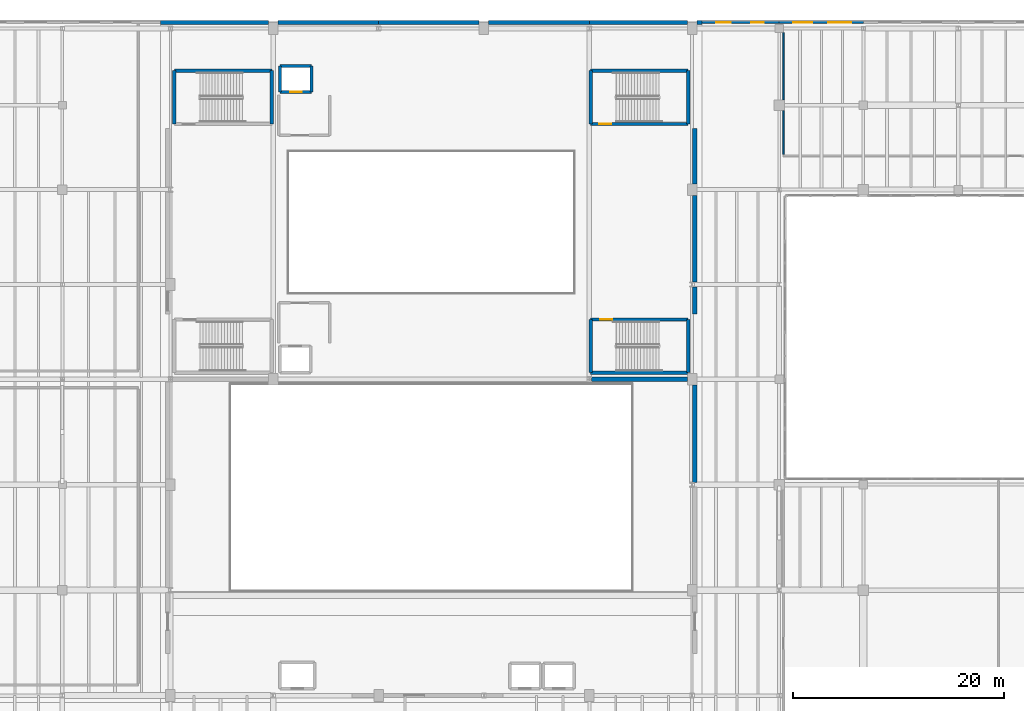
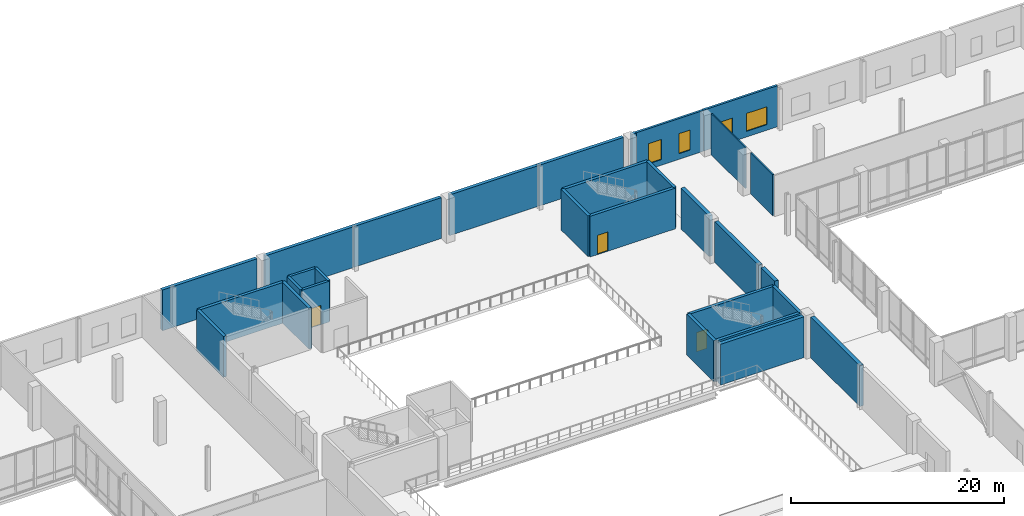
# One storey, part 58 of 73: 30 walls, 4 windows, 3 doors, 7 openings.
"""IFC4 building model written with IfcOpenShell, lengths in metres."""

from ifc_helpers import new_model, si_unit, direction, frame, frame_2d, origin, place, context, subcontext, project, spatial, rectangle, extrude, material, layer, layer_set, type_object, element, fill, save


model = new_model("IFC4")

# Units and contexts
model_context = context("Model", 3, precision=1e-05, world=origin(), true_north=direction((0.0, 1.0)))
body_context = subcontext(model_context, "Body", "Model", "MODEL_VIEW")
ifc_project = project(units=[si_unit("LENGTHUNIT", "METRE"), si_unit("AREAUNIT", "SQUARE_METRE"), si_unit("VOLUMEUNIT", "CUBIC_METRE"), si_unit("PLANEANGLEUNIT", "RADIAN"), si_unit("MASSUNIT", "GRAM", prefix="KILO")], contexts=[model_context])

# Site, building, storey
site_placement = place(None, origin())
site = spatial("IfcSite", under=ifc_project, at=site_placement, CompositionType="ELEMENT")
building_placement = place(site_placement, origin())
building = spatial("IfcBuilding", under=site, at=building_placement, Name="Trimount Lyric Opera House", CompositionType="ELEMENT")
storey_placement = place(building_placement, frame((0.0, 0.0, 10.0)))
storey = spatial("IfcBuildingStorey", under=building, at=storey_placement, Name="L02", CompositionType="ELEMENT", Elevation=10.0)

# Walls
ifc_material_1 = material(Name="Fire-Rated Gypsum Board Partition")
ifc_layer_1 = layer(ifc_material_1, 0.14990234375)
ifc_layer_set_1 = layer_set([ifc_layer_1], Name="WL-PT150")
wall_type_1 = type_object("IfcWallType", Name="WL-PT150", PredefinedType="PARTITIONING", material=ifc_layer_set_1)
wall_1_placement = place(storey_placement, frame((122.39990234375, 116.8798828125, 0.0), z_axis=(0.0, 0.0, 1.0), x_axis=(0.0, -1.0, 0.0)))
element("IfcWall", 1, at=wall_1_placement, inside=storey, type_object=wall_type_1, Name="L02 Wig, Make-Up & Millinery Studio W partition", PredefinedType="PARTITIONING", context=body_context, shape_type="SweptSolid", body=[
    extrude(rectangle(XDim=6.3798828125, YDim=0.14990234375, at=frame_2d((3.18994140625, 0.0))), origin(), (0.0, 0.0, 1.0), 4.7099609375),
])
wall_2_placement = place(storey_placement, frame((122.39990234375, 109.5, 0.0), z_axis=(0.0, 0.0, 1.0), x_axis=(0.0, -1.0, 0.0)))
element("IfcWall", 2, at=wall_2_placement, inside=storey, type_object=wall_type_1, Name="L02 Wig, Make-Up & Millinery Studio W partition", PredefinedType="PARTITIONING", context=body_context, shape_type="SweptSolid", body=[
    extrude(rectangle(XDim=4.14990234375, YDim=0.14990234375, at=frame_2d((2.074951171875, 0.0))), origin(), (0.0, 0.0, 1.0), 4.7099609375),
])

# Wall, opening, door
ifc_material_2 = material(Name="Concrete C40/50", Category="concrete")
ifc_layer_2 = layer(ifc_material_2, 0.280029296875)
ifc_layer_set_2 = layer_set([ifc_layer_2], Name="WL-SH280")
wall_type_2 = type_object("IfcWallType", Name="WL-SH280", PredefinedType="SHEAR", material=ifc_layer_set_2)
wall_3_placement = place(storey_placement, frame((74.659912109375, 111.260009765625, 0.0), z_axis=(0.0, 0.0, 1.0), x_axis=(1.0, 0.0, 0.0)))
wall_3 = element("IfcWall", 3, at=wall_3_placement, inside=storey, type_object=wall_type_2, Name="Lift LF-05 L02 south shaft wall", PredefinedType="SHEAR", context=body_context, shape_type="SweptSolid", body=[
    extrude(rectangle(XDim=2.97998046875, YDim=0.280029296875, at=frame_2d((1.489990234375, 0.0))), origin(), (0.0, 0.0, 1.0), 4.675048828125),
])
opening_1_placement = place(wall_3_placement, frame((0.93994140625, 0.0, 0.0)))
opening_1 = element("IfcOpeningElement", 4, at=opening_1_placement, cuts=wall_3, Name="Opening DT-LD1", PredefinedType="OPENING", context=body_context, shape_type="SweptSolid", body=[
    extrude(rectangle(XDim=1.10009765625, YDim=2.199951171875, at=frame_2d((0.550048828125, 1.10009765625))), frame((0.0, 0.14990234375, 0.0), z_axis=(0.0, -1.0, 0.0), x_axis=(1.0, 0.0, 0.0)), (0.0, 0.0, 1.0), 0.300048828125),
])
ifc_material_3 = material(Name="Brushed Stainless Steel", Category="steel")
door_type_1 = type_object("IfcDoorType", Name="DT-LD1", OperationType="SLIDING_TO_LEFT", PredefinedType="DOOR", material=ifc_material_3)
door_1_placement = place(opening_1_placement, origin())
door_1 = element("IfcDoor", 5, at=door_1_placement, inside=storey, type_object=door_type_1, Name="D-097", OperationType="SLIDING_TO_LEFT", OverallHeight=2.199951171875, OverallWidth=1.10009765625, PredefinedType="DOOR", context=body_context, shape_type="SweptSolid", body=[
    extrude(rectangle(XDim=1.10009765625, YDim=2.199951171875, at=frame_2d((0.550048828125, 1.10009765625))), frame((0.0, 0.02490234375, 0.0), z_axis=(0.0, -1.0, 0.0), x_axis=(1.0, 0.0, 0.0)), (0.0, 0.0, 1.0), 0.050048828125),
])
fill(opening_1, door_1)

# Walls
wall_4_placement = place(storey_placement, frame((77.639892578125, 113.739990234375, 0.0), z_axis=(0.0, 0.0, 1.0), x_axis=(-1.0, 0.0, 0.0)))
element("IfcWall", 6, at=wall_4_placement, inside=storey, type_object=wall_type_2, Name="Lift LF-05 L02 north shaft wall", PredefinedType="SHEAR", context=body_context, shape_type="SweptSolid", body=[
    extrude(rectangle(XDim=2.97998046875, YDim=0.280029296875, at=frame_2d((1.489990234375, 0.0))), origin(), (0.0, 0.0, 1.0), 4.675048828125),
])
for number, where, z_axis, x_axis, name in (
    (7, (74.659912109375, 113.739990234375, 0.0), (0.0, 0.0, 1.0), (0.0, -1.0, 0.0), "Lift LF-05 L02 west shaft wall"),
    (8, (77.639892578125, 111.260009765625, 0.0), (0.0, 0.0, 1.0), (0.0, 1.0, 0.0), "Lift LF-05 L02 east shaft wall"),
):
    element("IfcWall", number, at=place(storey_placement, frame(where, z_axis=z_axis, x_axis=x_axis)), inside=storey, type_object=wall_type_2, Name=name, PredefinedType="SHEAR", context=body_context, shape_type="SweptSolid", body=[
        extrude(rectangle(XDim=2.47998046875, YDim=0.280029296875, at=frame_2d((1.239990234375, 0.0))), origin(), (0.0, 0.0, 1.0), 4.675048828125),
    ])
ifc_material_4 = material(Name="Concrete C40/50", Category="concrete")
ifc_layer_3 = layer(ifc_material_4, 0.320068359375)
ifc_layer_set_3 = layer_set([ifc_layer_3], Name="WL-SH320")
wall_type_3 = type_object("IfcWallType", Name="WL-SH320", PredefinedType="SHEAR", material=ifc_layer_set_3)
wall_5_placement = place(storey_placement, frame((73.875, 113.27490234375, 0.0), z_axis=(0.0, 0.0, 1.0), x_axis=(-1.0, 0.0, 0.0)))
element("IfcWall", 9, at=wall_5_placement, inside=storey, type_object=wall_type_3, Name="K1 L02 north shaft wall", PredefinedType="SHEAR", context=body_context, shape_type="SweptSolid", body=[
    extrude(rectangle(XDim=9.25, YDim=0.320068359375, at=frame_2d((4.625, 0.0))), origin(), (0.0, 0.0, 1.0), 4.675048828125),
])
for number, where, z_axis, x_axis, name in (
    (10, (64.625, 113.27490234375, 0.0), (0.0, 0.0, 1.0), (0.0, -1.0, 0.0), "K1 L02 west shaft wall"),
    (11, (73.875, 108.22509765625, 0.0), (0.0, 0.0, 1.0), (0.0, 1.0, 0.0), "K1 L02 east shaft wall"),
):
    element("IfcWall", number, at=place(storey_placement, frame(where, z_axis=z_axis, x_axis=x_axis)), inside=storey, type_object=wall_type_3, Name=name, PredefinedType="SHEAR", context=body_context, shape_type="SweptSolid", body=[
        extrude(rectangle(XDim=5.0498046875, YDim=0.320068359375, at=frame_2d((2.52490234375, 0.0))), origin(), (0.0, 0.0, 1.0), 4.675048828125),
    ])

# Wall, opening, door
wall_6_placement = place(storey_placement, frame((104.125, 108.22509765625, 0.0), z_axis=(0.0, 0.0, 1.0), x_axis=(1.0, 0.0, 0.0)))
wall_6 = element("IfcWall", 12, at=wall_6_placement, inside=storey, type_object=wall_type_3, Name="K2 L02 south shaft wall", PredefinedType="SHEAR", context=body_context, shape_type="SweptSolid", body=[
    extrude(rectangle(XDim=9.25, YDim=0.320068359375, at=frame_2d((4.625, 0.0))), origin(), (0.0, 0.0, 1.0), 4.675048828125),
])
opening_2_placement = place(wall_6_placement, frame((0.800048828125, 0.0, 0.0)))
opening_2 = element("IfcOpeningElement", 13, at=opening_2_placement, cuts=wall_6, Name="Opening DT-ST1", PredefinedType="OPENING", context=body_context, shape_type="SweptSolid", body=[
    extrude(rectangle(XDim=1.14990234375, YDim=2.199951171875, at=frame_2d((0.574951171875, 1.10009765625))), frame((0.0, 0.169921875, 0.0), z_axis=(0.0, -1.0, 0.0), x_axis=(1.0, 0.0, 0.0)), (0.0, 0.0, 1.0), 0.340087890625),
])
ifc_material_5 = material(Name="Fire-Rated Hollow Steel", Category="steel")
door_type_2 = type_object("IfcDoorType", Name="DT-ST1", OperationType="NOTDEFINED", PredefinedType="DOOR", material=ifc_material_5)
door_2_placement = place(opening_2_placement, origin())
door_2 = element("IfcDoor", 14, at=door_2_placement, inside=storey, type_object=door_type_2, Name="D-018", OperationType="SINGLE_SWING_RIGHT", OverallHeight=2.199951171875, OverallWidth=1.14990234375, PredefinedType="DOOR", context=body_context, shape_type="SweptSolid", body=[
    extrude(rectangle(XDim=1.14990234375, YDim=2.199951171875, at=frame_2d((0.574951171875, 1.10009765625))), frame((0.0, 0.02490234375, 0.0), z_axis=(0.0, -1.0, 0.0), x_axis=(1.0, 0.0, 0.0)), (0.0, 0.0, 1.0), 0.050048828125),
])
fill(opening_2, door_2)

# Walls
wall_7_placement = place(storey_placement, frame((113.375, 113.27490234375, 0.0), z_axis=(0.0, 0.0, 1.0), x_axis=(-1.0, 0.0, 0.0)))
element("IfcWall", 15, at=wall_7_placement, inside=storey, type_object=wall_type_3, Name="K2 L02 north shaft wall", PredefinedType="SHEAR", context=body_context, shape_type="SweptSolid", body=[
    extrude(rectangle(XDim=9.25, YDim=0.320068359375, at=frame_2d((4.625, 0.0))), origin(), (0.0, 0.0, 1.0), 4.675048828125),
])
for number, where, z_axis, x_axis, name in (
    (16, (104.125, 113.27490234375, 0.0), (0.0, 0.0, 1.0), (0.0, -1.0, 0.0), "K2 L02 west shaft wall"),
    (17, (113.375, 108.22509765625, 0.0), (0.0, 0.0, 1.0), (0.0, 1.0, 0.0), "K2 L02 east shaft wall"),
):
    element("IfcWall", number, at=place(storey_placement, frame(where, z_axis=z_axis, x_axis=x_axis)), inside=storey, type_object=wall_type_3, Name=name, PredefinedType="SHEAR", context=body_context, shape_type="SweptSolid", body=[
        extrude(rectangle(XDim=5.0498046875, YDim=0.320068359375, at=frame_2d((2.52490234375, 0.0))), origin(), (0.0, 0.0, 1.0), 4.675048828125),
    ])
wall_8_placement = place(storey_placement, frame((104.125, 84.625, 0.0), z_axis=(0.0, 0.0, 1.0), x_axis=(1.0, 0.0, 0.0)))
element("IfcWall", 18, at=wall_8_placement, inside=storey, type_object=wall_type_3, Name="K4 L02 south shaft wall", PredefinedType="SHEAR", context=body_context, shape_type="SweptSolid", body=[
    extrude(rectangle(XDim=9.25, YDim=0.320068359375, at=frame_2d((4.625, 0.0))), origin(), (0.0, 0.0, 1.0), 4.675048828125),
])

# Wall, opening, door
wall_9_placement = place(storey_placement, frame((113.375, 89.675048828125, 0.0), z_axis=(0.0, 0.0, 1.0), x_axis=(-1.0, 0.0, 0.0)))
wall_9 = element("IfcWall", 19, at=wall_9_placement, inside=storey, type_object=wall_type_3, Name="K4 L02 north shaft wall", PredefinedType="SHEAR", context=body_context, shape_type="SweptSolid", body=[
    extrude(rectangle(XDim=9.25, YDim=0.320068359375, at=frame_2d((4.625, 0.0))), origin(), (0.0, 0.0, 1.0), 4.675048828125),
])
opening_3_placement = place(wall_9_placement, frame((7.199951171875, 0.0, 0.0)))
opening_3 = element("IfcOpeningElement", 20, at=opening_3_placement, cuts=wall_9, Name="Opening DT-ST1", PredefinedType="OPENING", context=body_context, shape_type="SweptSolid", body=[
    extrude(rectangle(XDim=1.14990234375, YDim=2.199951171875, at=frame_2d((0.574951171875, 1.10009765625))), frame((0.0, 0.169921875, 0.0), z_axis=(0.0, -1.0, 0.0), x_axis=(1.0, 0.0, 0.0)), (0.0, 0.0, 1.0), 0.340087890625),
])
door_3_placement = place(opening_3_placement, origin())
door_3 = element("IfcDoor", 21, at=door_3_placement, inside=storey, type_object=door_type_2, Name="D-034", OperationType="SINGLE_SWING_RIGHT", OverallHeight=2.199951171875, OverallWidth=1.14990234375, PredefinedType="DOOR", context=body_context, shape_type="SweptSolid", body=[
    extrude(rectangle(XDim=1.14990234375, YDim=2.199951171875, at=frame_2d((0.574951171875, 1.10009765625))), frame((0.0, 0.02490234375, 0.0), z_axis=(0.0, -1.0, 0.0), x_axis=(1.0, 0.0, 0.0)), (0.0, 0.0, 1.0), 0.050048828125),
])
fill(opening_3, door_3)

# Walls
for number, where, z_axis, x_axis, name in (
    (22, (104.125, 89.675048828125, 0.0), (0.0, 0.0, 1.0), (0.0, -1.0, 0.0), "K4 L02 west shaft wall"),
    (23, (113.375, 84.625, 0.0), (0.0, 0.0, 1.0), (0.0, 1.0, 0.0), "K4 L02 east shaft wall"),
):
    element("IfcWall", number, at=place(storey_placement, frame(where, z_axis=z_axis, x_axis=x_axis)), inside=storey, type_object=wall_type_3, Name=name, PredefinedType="SHEAR", context=body_context, shape_type="SweptSolid", body=[
        extrude(rectangle(XDim=5.050048828125, YDim=0.320068359375, at=frame_2d((2.52490234375, 0.0))), origin(), (0.0, 0.0, 1.0), 4.675048828125),
    ])
ifc_material_6 = material(Name="Concrete C40/50", Category="concrete")
ifc_layer_4 = layer(ifc_material_6, 0.35009765625)
ifc_layer_set_4 = layer_set([ifc_layer_4], Name="WL-SH350")
wall_type_4 = type_object("IfcWallType", Name="WL-SH350", PredefinedType="SHEAR", material=ifc_layer_set_4)
wall_10_placement = place(storey_placement, frame((63.320068359375, 117.860107421875, 0.0), z_axis=(0.0, 0.0, 1.0), x_axis=(1.0, 0.0, 0.0)))
element("IfcWall", 24, at=wall_10_placement, inside=storey, type_object=wall_type_4, Name="L02 exterior facade wall 211", PredefinedType="SHEAR", context=body_context, shape_type="SweptSolid", body=[
    extrude(rectangle(XDim=10.22998046875, YDim=0.35009765625, at=frame_2d((5.114990234375, 0.0))), origin(), (0.0, 0.0, 1.0), 4.675048828125),
])
for number, where, z_axis, x_axis, name in (
    (25, (74.449951171875, 117.860107421875, 0.0), (0.0, 0.0, 1.0), (1.0, 0.0, 0.0), "L02 exterior facade wall 212"),
    (26, (84.0, 117.860107421875, 0.0), (0.0, 0.0, 1.0), (1.0, 0.0, 0.0), "L02 exterior facade wall 213"),
    (27, (94.449951171875, 117.860107421875, 0.0), (0.0, 0.0, 1.0), (1.0, 0.0, 0.0), "L02 exterior facade wall 214"),
):
    element("IfcWall", number, at=place(storey_placement, frame(where, z_axis=z_axis, x_axis=x_axis)), inside=storey, type_object=wall_type_4, Name=name, PredefinedType="SHEAR", context=body_context, shape_type="SweptSolid", body=[
        extrude(rectangle(XDim=9.550048828125, YDim=0.35009765625, at=frame_2d((4.77490234375, 0.0))), origin(), (0.0, 0.0, 1.0), 4.675048828125),
    ])
wall_11_placement = place(storey_placement, frame((104.0, 117.860107421875, 0.0), z_axis=(0.0, 0.0, 1.0), x_axis=(1.0, 0.0, 0.0)))
element("IfcWall", 28, at=wall_11_placement, inside=storey, type_object=wall_type_4, Name="L02 exterior facade wall 215", PredefinedType="SHEAR", context=body_context, shape_type="SweptSolid", body=[
    extrude(rectangle(XDim=9.2900390625, YDim=0.35009765625, at=frame_2d((4.64501953125, 0.0))), origin(), (0.0, 0.0, 1.0), 4.675048828125),
])
wall_12_placement = place(storey_placement, frame((114.18994140625, 117.860107421875, 0.0), z_axis=(0.0, 0.0, 1.0), x_axis=(1.0, 0.0, 0.0)))
element("IfcWall", 29, at=wall_12_placement, inside=storey, type_object=wall_type_4, Name="L02 exterior facade wall 215", PredefinedType="SHEAR", context=body_context, shape_type="SweptSolid", body=[
    extrude(rectangle(XDim=0.489990234375, YDim=0.35009765625, at=frame_2d((0.2451171875, 0.0))), origin(), (0.0, 0.0, 1.0), 4.675048828125),
])
ifc_material_7 = material(Name="Concrete C40/50", Category="concrete")
ifc_layer_5 = layer(ifc_material_7, 0.39990234375)
ifc_layer_set_5 = layer_set([ifc_layer_5], Name="WL-SH400")
wall_type_5 = type_object("IfcWallType", Name="WL-SH400", PredefinedType="SHEAR", material=ifc_layer_set_5)
wall_13_placement = place(storey_placement, frame((114.0, 74.232421875, 0.0), z_axis=(0.0, 0.0, 1.0), x_axis=(0.0, 1.0, 0.0)))
element("IfcWall", 30, at=wall_13_placement, inside=storey, type_object=wall_type_5, Name="L02 auditorium east acoustic shear wall", PredefinedType="SHEAR", context=body_context, shape_type="SweptSolid", body=[
    extrude(rectangle(XDim=9.217529296875, YDim=0.39990234375, at=frame_2d((4.60888671875, 0.0))), origin(), (0.0, 0.0, 1.0), 4.675048828125),
])
wall_14_placement = place(storey_placement, frame((114.0, 90.199951171875, 0.0), z_axis=(0.0, 0.0, 1.0), x_axis=(0.0, 1.0, 0.0)))
element("IfcWall", 31, at=wall_14_placement, inside=storey, type_object=wall_type_5, Name="L02 fly-tower east shear wall", PredefinedType="SHEAR", context=body_context, shape_type="SweptSolid", body=[
    extrude(rectangle(XDim=2.567626953125, YDim=0.39990234375, at=frame_2d((1.28369140625, 0.0))), origin(), (0.0, 0.0, 1.0), 4.675048828125),
])
wall_15_placement = place(storey_placement, frame((114.0, 93.232421875, 0.0), z_axis=(0.0, 0.0, 1.0), x_axis=(0.0, 1.0, 0.0)))
element("IfcWall", 32, at=wall_15_placement, inside=storey, type_object=wall_type_5, Name="L02 fly-tower east shear wall", PredefinedType="SHEAR", context=body_context, shape_type="SweptSolid", body=[
    extrude(rectangle(XDim=8.217529296875, YDim=0.39990234375, at=frame_2d((4.10888671875, 0.0))), origin(), (0.0, 0.0, 1.0), 4.675048828125),
])
wall_16_placement = place(storey_placement, frame((114.0, 102.550048828125, 0.0), z_axis=(0.0, 0.0, 1.0), x_axis=(0.0, 1.0, 0.0)))
element("IfcWall", 33, at=wall_16_placement, inside=storey, type_object=wall_type_5, Name="L02 fly-tower east shear wall", PredefinedType="SHEAR", context=body_context, shape_type="SweptSolid", body=[
    extrude(rectangle(XDim=5.25, YDim=0.39990234375, at=frame_2d((2.625, 0.0))), origin(), (0.0, 0.0, 1.0), 4.675048828125),
])
wall_17_placement = place(storey_placement, frame((104.2109375, 84.0, 0.0), z_axis=(0.0, 0.0, 1.0), x_axis=(1.0, 0.0, 0.0)))
element("IfcWall", 34, at=wall_17_placement, inside=storey, type_object=wall_type_5, Name="L02 proscenium east wing wall", PredefinedType="SHEAR", context=body_context, shape_type="SweptSolid", body=[
    extrude(rectangle(XDim=9.0791015625, YDim=0.39990234375, at=frame_2d((4.53955078125, 0.0))), origin(), (0.0, 0.0, 1.0), 4.675048828125),
])

# Wall, openings, windows
ifc_material_8 = material(Name="Concrete C35/45", Category="concrete")
ifc_layer_6 = layer(ifc_material_8, 0.239990234375)
ifc_layer_set_6 = layer_set([ifc_layer_6], Name="WL-SW240")
wall_type_6 = type_object("IfcWallType", Name="WL-SW240", PredefinedType="SOLIDWALL", material=ifc_layer_set_6)
wall_18_placement = place(storey_placement, frame((114.679931640625, 117.860107421875, 0.0), z_axis=(0.0, 0.0, 1.0), x_axis=(1.0, 0.0, 0.0)))
wall_18 = element("IfcWall", 35, at=wall_18_placement, inside=storey, type_object=wall_type_6, Name="L02 exterior facade wall 216", PredefinedType="SOLIDWALL", context=body_context, shape_type="SweptSolid", body=[
    extrude(rectangle(XDim=7.320068359375, YDim=0.239990234375, at=frame_2d((3.66015625, 0.0))), origin(), (0.0, 0.0, 1.0), 4.675048828125),
])
opening_4_placement = place(wall_18_placement, frame((1.349609375, 0.0, 0.64990234375)))
opening_4 = element("IfcOpeningElement", 36, at=opening_4_placement, cuts=wall_18, Name="Opening WT-06", PredefinedType="OPENING", context=body_context, shape_type="SweptSolid", body=[
    extrude(rectangle(XDim=1.39990234375, YDim=2.300048828125, at=frame_2d((0.699951171875, 1.14990234375))), frame((0.0, 0.1298828125, 0.0), z_axis=(0.0, -1.0, 0.0), x_axis=(1.0, 0.0, 0.0)), (0.0, 0.0, 1.0), 0.260009765625),
])
opening_5_placement = place(wall_18_placement, frame((4.67041015625, 0.0, 0.64990234375)))
opening_5 = element("IfcOpeningElement", 37, at=opening_5_placement, cuts=wall_18, Name="Opening WT-07", PredefinedType="OPENING", context=body_context, shape_type="SweptSolid", body=[
    extrude(rectangle(XDim=1.199951171875, YDim=2.300048828125, at=frame_2d((0.60009765625, 1.14990234375))), frame((0.0, 0.1298828125, 0.0), z_axis=(0.0, -1.0, 0.0), x_axis=(1.0, 0.0, 0.0)), (0.0, 0.0, 1.0), 0.260009765625),
])
ifc_material_9 = material(Name="Triple Acoustic Glazing in Aluminium Frame", Category="aluminium")
window_type_1 = type_object("IfcWindowType", Name="WT-06", PartitioningType="SINGLE_PANEL", PredefinedType="WINDOW", material=ifc_material_9)
window_1_placement = place(opening_4_placement, origin())
window_1 = element("IfcWindow", 38, at=window_1_placement, inside=storey, type_object=window_type_1, Name="Window WT-06-0162", OverallHeight=2.300048828125, OverallWidth=1.39990234375, PartitioningType="SINGLE_PANEL", PredefinedType="WINDOW", context=body_context, shape_type="SweptSolid", body=[
    extrude(rectangle(XDim=1.39990234375, YDim=2.300048828125, at=frame_2d((0.699951171875, 1.14990234375))), frame((0.0, 0.030029296875, 0.0), z_axis=(0.0, -1.0, 0.0), x_axis=(1.0, 0.0, 0.0)), (0.0, 0.0, 1.0), 0.06005859375),
])
fill(opening_4, window_1)
ifc_material_10 = material(Name="Triple Acoustic Glazing in Aluminium Frame", Category="aluminium")
window_type_2 = type_object("IfcWindowType", Name="WT-07", PartitioningType="SINGLE_PANEL", PredefinedType="WINDOW", material=ifc_material_10)
window_2_placement = place(opening_5_placement, origin())
window_2 = element("IfcWindow", 39, at=window_2_placement, inside=storey, type_object=window_type_2, Name="Window WT-07-0163", OverallHeight=2.300048828125, OverallWidth=1.199951171875, PartitioningType="SINGLE_PANEL", PredefinedType="WINDOW", context=body_context, shape_type="SweptSolid", body=[
    extrude(rectangle(XDim=1.199951171875, YDim=2.300048828125, at=frame_2d((0.60009765625, 1.14990234375))), frame((0.0, 0.030029296875, 0.0), z_axis=(0.0, -1.0, 0.0), x_axis=(1.0, 0.0, 0.0)), (0.0, 0.0, 1.0), 0.06005859375),
])
fill(opening_5, window_2)

wall_19_placement = place(storey_placement, frame((122.0, 117.860107421875, 0.0), z_axis=(0.0, 0.0, 1.0), x_axis=(1.0, 0.0, 0.0)))
wall_19 = element("IfcWall", 40, at=wall_19_placement, inside=storey, type_object=wall_type_6, Name="L02 exterior facade wall 217", PredefinedType="SOLIDWALL", context=body_context, shape_type="SweptSolid", body=[
    extrude(rectangle(XDim=8.0, YDim=0.239990234375, at=frame_2d((4.0, 0.0))), origin(), (0.0, 0.0, 1.0), 4.7099609375),
])
opening_6_placement = place(wall_19_placement, frame((1.340087890625, 0.0, 0.64990234375)))
opening_6 = element("IfcOpeningElement", 41, at=opening_6_placement, cuts=wall_19, Name="Opening WT-11", PredefinedType="OPENING", context=body_context, shape_type="SweptSolid", body=[
    extrude(rectangle(XDim=1.800048828125, YDim=2.050048828125, at=frame_2d((0.89990234375, 1.02490234375))), frame((0.0, 0.1298828125, 0.0), z_axis=(0.0, -1.0, 0.0), x_axis=(1.0, 0.0, 0.0)), (0.0, 0.0, 1.0), 0.260009765625),
])
opening_7_placement = place(wall_19_placement, frame((4.659912109375, 0.0, 0.64990234375)))
opening_7 = element("IfcOpeningElement", 42, at=opening_7_placement, cuts=wall_19, Name="Opening WT-09", PredefinedType="OPENING", context=body_context, shape_type="SweptSolid", body=[
    extrude(rectangle(XDim=2.199951171875, YDim=2.050048828125, at=frame_2d((1.10009765625, 1.02490234375))), frame((0.0, 0.1298828125, 0.0), z_axis=(0.0, -1.0, 0.0), x_axis=(1.0, 0.0, 0.0)), (0.0, 0.0, 1.0), 0.260009765625),
])
ifc_material_11 = material(Name="Low-E Insulated Glazing in Bronze Frame", Category="glass")
window_type_3 = type_object("IfcWindowType", Name="WT-09", PartitioningType="DOUBLE_PANEL_VERTICAL", PredefinedType="WINDOW", material=ifc_material_11)
window_3_placement = place(opening_7_placement, origin())
window_3 = element("IfcWindow", 43, at=window_3_placement, inside=storey, type_object=window_type_3, Name="Window WT-09-0165", OverallHeight=2.050048828125, OverallWidth=2.199951171875, PartitioningType="SINGLE_PANEL", PredefinedType="WINDOW", context=body_context, shape_type="SweptSolid", body=[
    extrude(rectangle(XDim=2.199951171875, YDim=2.050048828125, at=frame_2d((1.10009765625, 1.02490234375))), frame((0.0, 0.030029296875, 0.0), z_axis=(0.0, -1.0, 0.0), x_axis=(1.0, 0.0, 0.0)), (0.0, 0.0, 1.0), 0.06005859375),
])
fill(opening_7, window_3)
ifc_material_12 = material(Name="Low-E Insulated Glazing in Bronze Frame", Category="glass")
window_type_4 = type_object("IfcWindowType", Name="WT-11", PartitioningType="DOUBLE_PANEL_VERTICAL", PredefinedType="WINDOW", material=ifc_material_12)
window_4_placement = place(opening_6_placement, origin())
window_4 = element("IfcWindow", 44, at=window_4_placement, inside=storey, type_object=window_type_4, Name="Window WT-11-0164", OverallHeight=2.050048828125, OverallWidth=1.800048828125, PartitioningType="SINGLE_PANEL", PredefinedType="WINDOW", context=body_context, shape_type="SweptSolid", body=[
    extrude(rectangle(XDim=1.800048828125, YDim=2.050048828125, at=frame_2d((0.89990234375, 1.02490234375))), frame((0.0, 0.030029296875, 0.0), z_axis=(0.0, -1.0, 0.0), x_axis=(1.0, 0.0, 0.0)), (0.0, 0.0, 1.0), 0.06005859375),
])
fill(opening_6, window_4)

save(model, "model.ifc")
